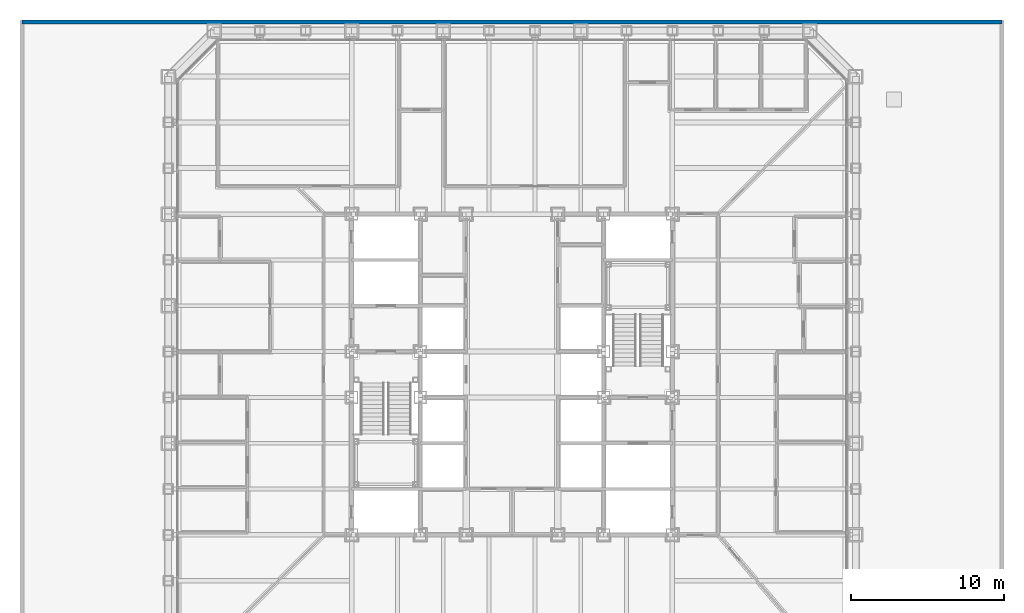
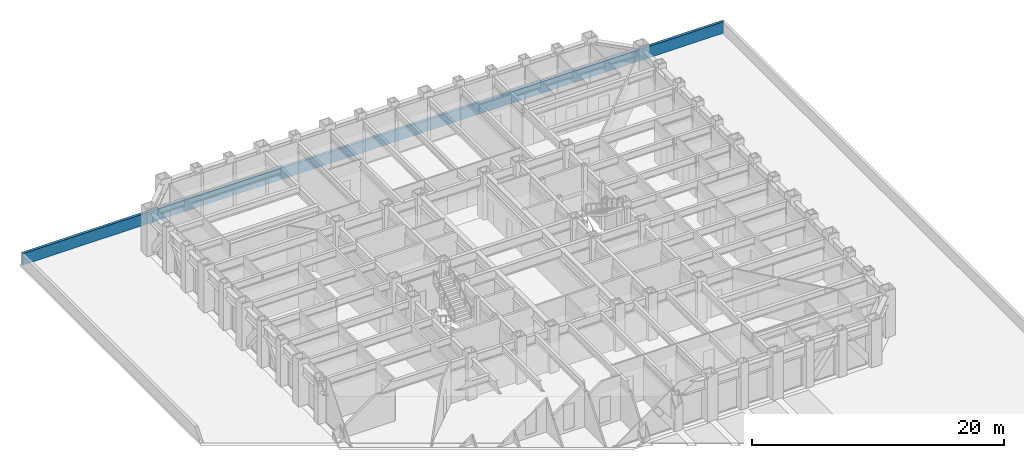
# One storey, part 13 of 18: 1 wall.
"""IFC4 building model written with IfcOpenShell, lengths in metres."""

from ifc_helpers import new_model, si_unit, direction, frame, frame_2d, origin, place, context, subcontext, project, spatial, rectangle, extrude, material, layer, layer_set, type_object, element, save


model = new_model("IFC4")

# Units and contexts
model_context = context("Model", 3, precision=1e-05, world=origin(), true_north=direction((0.0, 1.0)))
body_context = subcontext(model_context, "Body", "Model", "MODEL_VIEW")
ifc_project = project(units=[si_unit("LENGTHUNIT", "METRE"), si_unit("AREAUNIT", "SQUARE_METRE"), si_unit("VOLUMEUNIT", "CUBIC_METRE"), si_unit("PLANEANGLEUNIT", "RADIAN"), si_unit("MASSUNIT", "GRAM", prefix="KILO")], contexts=[model_context])

# Site, building, storey
site_placement = place(None, origin())
site = spatial("IfcSite", under=ifc_project, at=site_placement, CompositionType="ELEMENT")
building_placement = place(site_placement, origin())
building = spatial("IfcBuilding", under=site, at=building_placement, Name="Chuquiago Exchange Tower", CompositionType="ELEMENT")
storey_placement = place(building_placement, frame((0.0, 0.0, 24.300048828125)))
storey = spatial("IfcBuildingStorey", under=building, at=storey_placement, Name="L04", CompositionType="ELEMENT", Elevation=24.300048828125)

# Wall
ifc_material = material(Name="Concrete C30/37", Category="concrete")
ifc_layer = layer(ifc_material, 0.25)
ifc_layer_set = layer_set([ifc_layer], Name="W7 parapet 250")
wall_type = type_object("IfcWallType", Name="W7 parapet 250", PredefinedType="PARAPET", material=ifc_layer_set)
wall_placement = place(storey_placement, frame((54.574951171875, 45.574951171875, 0.0), z_axis=(0.0, 0.0, 1.0), x_axis=(-1.0, 0.0, 0.0)))
element("IfcWall", 1, at=wall_placement, inside=storey, type_object=wall_type, Name="Podium roof parapet", PredefinedType="PARAPET", context=body_context, shape_type="SweptSolid", body=[
    extrude(rectangle(XDim=64.14990234375, YDim=0.25, at=frame_2d((32.074951171875, 0.0))), origin(), (0.0, 0.0, 1.0), 1.099853515625),
])

save(model, "model.ifc")
